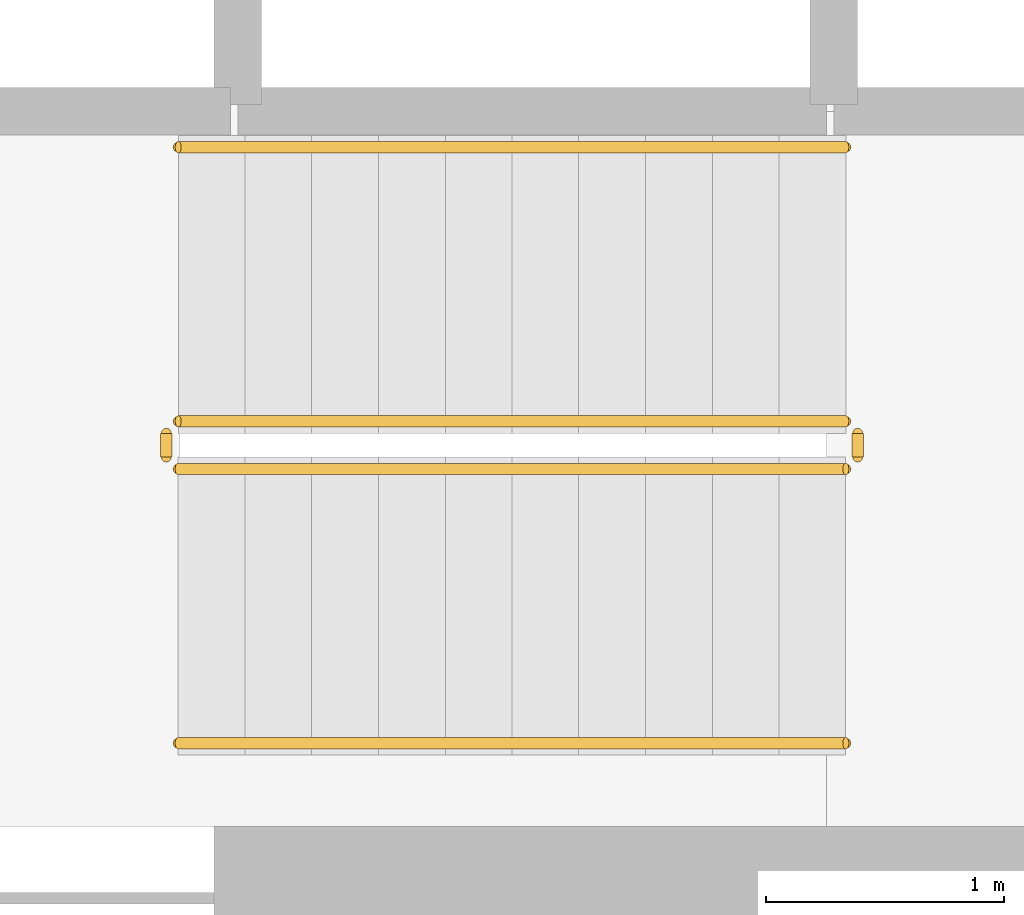
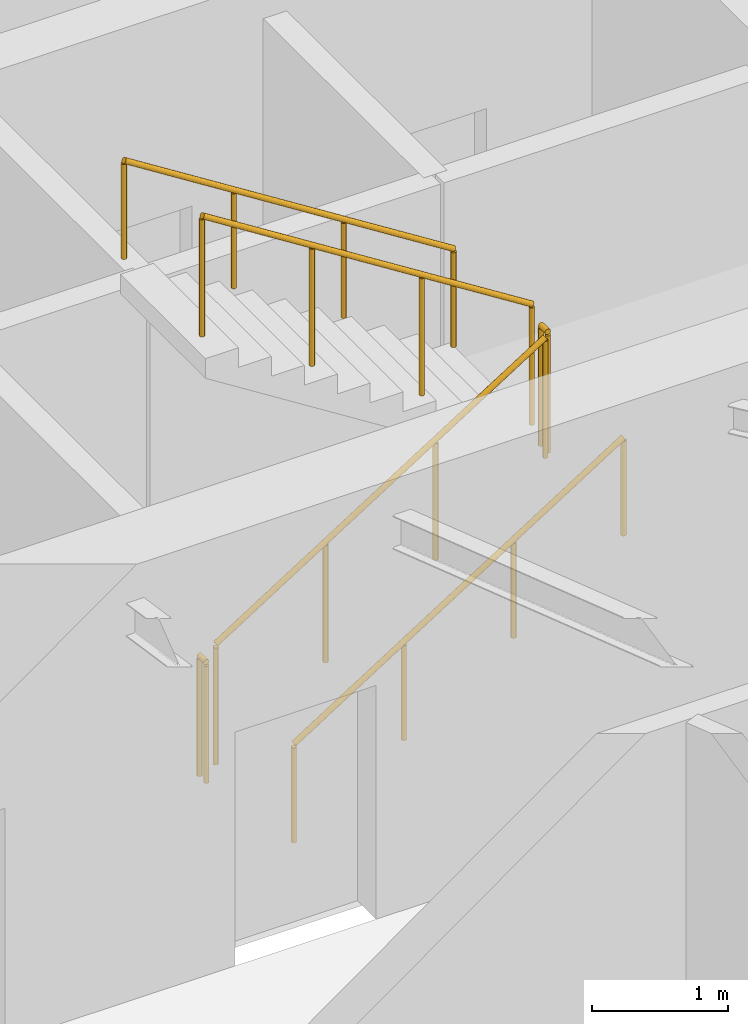
# One storey, part 15 of 19: 6 railings.
"""IFC4 building model written with IfcOpenShell, lengths in metres."""

import ifcopenshell
import ifcopenshell.guid

model = None  # the IFC model being written
_history = None  # IfcOwnerHistory: only IFC2X3 demands one
_inside = {}  # id of a spatial element -> (the spatial element, [elements in it])
_under = {}  # id of a project, library or spatial element -> (it, [spatial elements below it])
_declared = {}  # id of a project -> (the project, [libraries it declares])
_typed = {}  # id of a type object -> (the type object, [elements of that type])
_made_of = {}  # id of a material, layer set ... -> (it, [elements and type objects made of it])


def new_model(schema):
    """Start an empty IFC model of exactly this schema.

    Asked for "IFC4X3", IfcOpenShell would pick the latest addendum, in which some entities
    have other attributes; the version numbers below select the first issue.
    IFC2X3 requires an IfcOwnerHistory on every rooted entity: one is made here for all.
    """
    global model, _history
    if schema == "IFC4X3":
        model = ifcopenshell.file(schema_version=(4, 3, 0, 0))
    else:
        model = ifcopenshell.file(schema=schema)
    _inside.clear()
    _under.clear()
    _declared.clear()
    _typed.clear()
    _made_of.clear()
    _history = None
    if model.schema == "IFC2X3":
        org = make("IfcOrganization", Name="unknown")
        user = make(
            "IfcPersonAndOrganization",
            ThePerson=make("IfcPerson", FamilyName="unknown"),
            TheOrganization=org,
        )
        app = make(
            "IfcApplication",
            ApplicationDeveloper=org,
            Version="unknown",
            ApplicationFullName="unknown",
            ApplicationIdentifier="unknown",
        )
        _history = make(
            "IfcOwnerHistory",
            OwningUser=user,
            OwningApplication=app,
            ChangeAction="ADDED",
            CreationDate=0,
        )
    return model


def make(cls, **values):
    """One entity of the class cls with the attributes given. An attribute that is None is left unset."""
    return model.create_entity(
        cls, **{name: value for name, value in values.items() if value is not None}
    )


def rooted(cls, **values):
    """An entity with a GlobalId (a new one), such as an element, a storey or a relation."""
    return make(cls, GlobalId=ifcopenshell.guid.new(), OwnerHistory=_history, **values)


def si_unit(unit_type, name, prefix=None):
    """IfcSIUnit, for example si_unit("LENGTHUNIT", "METRE", prefix="MILLI")."""
    return make("IfcSIUnit", UnitType=unit_type, Prefix=prefix, Name=name)


def assignment(units):
    """IfcUnitAssignment: the units of a project."""
    return None if units is None else make("IfcUnitAssignment", Units=units)


def point(xyz):
    """IfcCartesianPoint."""
    return None if xyz is None else make("IfcCartesianPoint", Coordinates=xyz)


def direction(xyz):
    """IfcDirection."""
    return None if xyz is None else make("IfcDirection", DirectionRatios=xyz)


def frame(location, z_axis=None, x_axis=None):
    """IfcAxis2Placement3D, a coordinate frame: its origin and axes. An axis left out is left unset."""
    return make(
        "IfcAxis2Placement3D",
        Location=point(location),
        Axis=direction(z_axis),
        RefDirection=direction(x_axis),
    )


def frame_2d(location, x_axis=None):
    """IfcAxis2Placement2D, a coordinate frame in the plane: its origin and x axis."""
    return make(
        "IfcAxis2Placement2D", Location=point(location), RefDirection=direction(x_axis)
    )


def origin():
    """The frame at (0, 0, 0) with its axes left unset."""
    return frame((0.0, 0.0, 0.0))


def origin_2d():
    """The frame at (0, 0) in the plane with its x axis left unset."""
    return frame_2d((0.0, 0.0))


def place(relative_to, where):
    """IfcLocalPlacement: puts the frame where relative to a parent placement (None: the world)."""
    return make(
        "IfcLocalPlacement", PlacementRelTo=relative_to, RelativePlacement=where
    )


def context(
    kind, dimensions, precision=None, world=None, true_north=None, identifier=None
):
    """IfcGeometricRepresentationContext, for example the 3D "Model" context."""
    return make(
        "IfcGeometricRepresentationContext",
        ContextIdentifier=identifier,
        ContextType=kind,
        CoordinateSpaceDimension=dimensions,
        Precision=precision,
        WorldCoordinateSystem=world,
        TrueNorth=true_north,
    )


def subcontext(parent, identifier, kind, view, scale=None):
    """IfcGeometricRepresentationSubContext, for example "Body" below "Model"."""
    return make(
        "IfcGeometricRepresentationSubContext",
        ContextIdentifier=identifier,
        ContextType=kind,
        ParentContext=parent,
        TargetScale=scale,
        TargetView=view,
    )


def project(units=None, contexts=None):
    """IfcProject with its units and contexts."""
    return rooted(
        "IfcProject",
        Name="project",
        RepresentationContexts=contexts,
        UnitsInContext=assignment(units),
    )


def spatial(cls, under=None, at=None, **own):
    """A site, building, storey or space (cls), placed at a placement, below another one or the project."""
    s = rooted(cls, ObjectPlacement=at, **own)
    if under is not None:
        _under.setdefault(under.id(), (under, []))[1].append(s)
    return s


def profile(cls, at=None, kind="AREA", **sizes):
    """A parametric profile (cls). Its sizes go by their IFC names, for example OverallWidth=200.0."""
    return make(cls, ProfileType=kind, Position=at, **sizes)


def circle(**sizes):
    """IfcCircleProfileDef."""
    return profile("IfcCircleProfileDef", **sizes)


def extrude(swept, where, along, depth):
    """IfcExtrudedAreaSolid: the profile swept, set in the frame where, extruded along a direction by depth."""
    return make(
        "IfcExtrudedAreaSolid",
        SweptArea=swept,
        Position=where,
        ExtrudedDirection=direction(along),
        Depth=depth,
    )


def shape(context_of_items, identifier, shape_type, items):
    """IfcShapeRepresentation: the items that make up one representation, for example the "Body"."""
    return make(
        "IfcShapeRepresentation",
        ContextOfItems=context_of_items,
        RepresentationIdentifier=identifier,
        RepresentationType=shape_type,
        Items=items,
    )


def material(Name=None, Category=None):
    """IfcMaterial."""
    return make("IfcMaterial", Name=Name, Category=Category)


def made_of(thing, what):
    """Note that an element or type object is made of a material, layer set ...; save() writes the relation."""
    if what is not None:
        _made_of.setdefault(what.id(), (what, []))[1].append(thing)
    return thing


def type_object(cls, material=None, **own):
    """A type object (cls), such as IfcWallType, which elements share."""
    return made_of(rooted(cls, **own), material)


def element(
    cls,
    number,
    at=None,
    inside=None,
    cuts=None,
    type_object=None,
    material=None,
    context=None,
    identifier="Body",
    shape_type=None,
    held_by="IfcProductDefinitionShape",
    body=None,
    shapes=None,
    **own,
):
    """One element of the class cls, such as IfcWall. Its Tag is "e" and its number.

    at: its placement. inside: the storey or other place that contains it. cuts: it is an
    opening in that element (IfcRelVoidsElement). A single representation is given by context,
    identifier, shape_type and body (its items); several are given by shapes. held_by: the class
    of the entity that holds the representations. save() writes the other relations.
    """
    e = rooted(cls, Tag="e%d" % number, ObjectPlacement=at, **own)
    if body is not None:
        shapes = [shape(context, identifier, shape_type, body)]
    if shapes is not None:
        e.Representation = make(held_by, Representations=shapes)
    if inside is not None:
        _inside.setdefault(inside.id(), (inside, []))[1].append(e)
    if cuts is not None:
        rooted(
            "IfcRelVoidsElement", RelatingBuildingElement=cuts, RelatedOpeningElement=e
        )
    if type_object is not None:
        _typed.setdefault(type_object.id(), (type_object, []))[1].append(e)
    return made_of(e, material)


def aggregate(whole, parts):
    """IfcRelAggregates: a whole, such as a stair, and the parts it consists of."""
    return rooted("IfcRelAggregates", RelatingObject=whole, RelatedObjects=parts)


def save(model, path):
    """Write the relations noted so far, then the file.

    IfcRelAggregates (storeys below a building ...), IfcRelContainedInSpatialStructure (elements
    in a storey), IfcRelDefinesByType, IfcRelAssociatesMaterial and IfcRelDeclares: one each for
    every whole, place, type object, material and project.
    """
    for whole, parts in _under.values():
        aggregate(whole, parts)
    for where, things in _inside.values():
        rooted(
            "IfcRelContainedInSpatialStructure",
            RelatedElements=things,
            RelatingStructure=where,
        )
    for kind, things in _typed.values():
        rooted("IfcRelDefinesByType", RelatedObjects=things, RelatingType=kind)
    for what, things in _made_of.values():
        rooted("IfcRelAssociatesMaterial", RelatedObjects=things, RelatingMaterial=what)
    for by, libraries in _declared.values():
        rooted("IfcRelDeclares", RelatingContext=by, RelatedDefinitions=libraries)
    model.write(path)


model = new_model("IFC4")

# Units and contexts
model_context = context("Model", 3, precision=1e-05, world=origin(), true_north=direction((0.0, 1.0)))
body_context = subcontext(model_context, "Body", "Model", "MODEL_VIEW")
ifc_project = project(units=[si_unit("LENGTHUNIT", "METRE"), si_unit("AREAUNIT", "SQUARE_METRE"), si_unit("VOLUMEUNIT", "CUBIC_METRE"), si_unit("PLANEANGLEUNIT", "RADIAN"), si_unit("MASSUNIT", "GRAM", prefix="KILO")], contexts=[model_context])

# Site, building, storey
site_placement = place(None, origin())
site = spatial("IfcSite", under=ifc_project, at=site_placement, CompositionType="ELEMENT")
building_placement = place(site_placement, origin())
building = spatial("IfcBuilding", under=site, at=building_placement, Name="Spindrift Exchange Tower", CompositionType="ELEMENT")
storey_placement = place(building_placement, frame((0.0, 0.0, 234.5)))
storey = spatial("IfcBuildingStorey", under=building, at=storey_placement, Name="L57", CompositionType="ELEMENT", Elevation=234.5)

# Railings
ifc_material_1 = material(Name="Steel balustrade", Category="steel")
railing_type_1 = type_object("IfcRailingType", Name="RL-STAIR-GUARD", PredefinedType="GUARDRAIL", material=ifc_material_1)
railing_1_placement = place(storey_placement, frame((54.949951171875, 42.10009765625, 0.17724609375)))
element("IfcRailing", 1, at=railing_1_placement, inside=storey, type_object=railing_type_1, Name="L57 ST2 stair guard 1", PredefinedType="GUARDRAIL", context=body_context, shape_type="SweptSolid", body=[
    extrude(circle(Radius=0.02392578125, at=origin_2d()), frame((0.0, 0.0, 1.076171875), z_axis=(0.844908973607, 0.0, 0.534910110503), x_axis=(0.0, 1.0, 0.0)), (0.0, 0.0, 1.0), 3.31396484375),
    extrude(circle(Radius=0.02099609375, at=origin_2d()), origin(), (0.0, 0.0, 1.0), 1.052001953125),
    extrude(circle(Radius=0.02099609375, at=origin_2d()), frame((0.933349609375, 0.0, 0.5908203125)), (0.0, 0.0, 1.0), 1.052001953125),
    extrude(circle(Radius=0.02099609375, at=origin_2d()), frame((1.86669921875, 0.0, 1.181884765625)), (0.0, 0.0, 1.0), 1.052001953125),
    extrude(circle(Radius=0.02099609375, at=origin_2d()), frame((2.800048828125, 0.0, 1.772705078125)), (0.0, 0.0, 1.0), 1.052001953125),
])
railing_2_placement = place(storey_placement, frame((57.800048828125, 42.14990234375, 1.949951171875)))
element("IfcRailing", 2, at=railing_2_placement, inside=storey, type_object=railing_type_1, Name="L57 ST2 stair guard 2", PredefinedType="GUARDRAIL", context=body_context, shape_type="SweptSolid", body=[
    extrude(circle(Radius=0.02392578125, at=origin_2d()), frame((0.0, 0.0, 1.076171875), z_axis=(0.0, 1.0, 0.0), x_axis=(-1.0, 0.0, 0.0)), (0.0, 0.0, 1.0), 0.10009765625),
    extrude(circle(Radius=0.02099609375, at=origin_2d()), origin(), (0.0, 0.0, 1.0), 1.052001953125),
    extrude(circle(Radius=0.02099609375, at=origin_2d()), frame((0.0, 0.10009765625, 0.0)), (0.0, 0.0, 1.0), 1.052001953125),
])
railing_3_placement = place(storey_placement, frame((57.75, 42.300048828125, 2.127197265625)))
element("IfcRailing", 3, at=railing_3_placement, inside=storey, type_object=railing_type_1, Name="L57 ST2 stair guard 3", PredefinedType="GUARDRAIL", context=body_context, shape_type="SweptSolid", body=[
    extrude(circle(Radius=0.02392578125, at=origin_2d()), frame((0.0, 0.0, 1.076171875), z_axis=(-0.844908973607, 0.0, 0.534910110503), x_axis=(0.0, -1.0, 0.0)), (0.0, 0.0, 1.0), 3.31396484375),
    extrude(circle(Radius=0.02099609375, at=origin_2d()), origin(), (0.0, 0.0, 1.0), 1.052001953125),
    extrude(circle(Radius=0.02099609375, at=origin_2d()), frame((-0.933349609375, 0.0, 0.5908203125)), (0.0, 0.0, 1.0), 1.052001953125),
    extrude(circle(Radius=0.02099609375, at=origin_2d()), frame((-1.86669921875, 0.0, 1.181884765625)), (0.0, 0.0, 1.0), 1.052001953125),
    extrude(circle(Radius=0.02099609375, at=origin_2d()), frame((-2.800048828125, 0.0, 1.772705078125)), (0.0, 0.0, 1.0), 1.052001953125),
])
railing_4_placement = place(storey_placement, frame((54.89990234375, 42.14990234375, 0.0)))
element("IfcRailing", 4, at=railing_4_placement, inside=storey, type_object=railing_type_1, Name="L57 ST2 stair guard 4", PredefinedType="GUARDRAIL", context=body_context, shape_type="SweptSolid", body=[
    extrude(circle(Radius=0.02392578125, at=origin_2d()), frame((0.0, 0.0, 1.076171875), z_axis=(0.0, 1.0, 0.0), x_axis=(-1.0, 0.0, 0.0)), (0.0, 0.0, 1.0), 0.10009765625),
    extrude(circle(Radius=0.02099609375, at=origin_2d()), origin(), (0.0, 0.0, 1.0), 1.052001953125),
    extrude(circle(Radius=0.02099609375, at=origin_2d()), frame((0.0, 0.10009765625, 0.0)), (0.0, 0.0, 1.0), 1.052001953125),
])
ifc_material_2 = material(Name="Steel tubular handrail", Category="steel")
railing_type_2 = type_object("IfcRailingType", Name="RL-STAIR-HAND", PredefinedType="HANDRAIL", material=ifc_material_2)
railing_5_placement = place(storey_placement, frame((54.949951171875, 40.949951171875, 0.17724609375)))
element("IfcRailing", 5, at=railing_5_placement, inside=storey, type_object=railing_type_2, Name="L57 ST2 stair handrail 1", PredefinedType="HANDRAIL", context=body_context, shape_type="SweptSolid", body=[
    extrude(circle(Radius=0.02392578125, at=origin_2d()), frame((0.0, 0.0, 0.8759765625), z_axis=(0.844908973607, 0.0, 0.534910110503), x_axis=(0.0, 1.0, 0.0)), (0.0, 0.0, 1.0), 3.31396484375),
    extrude(circle(Radius=0.02099609375, at=origin_2d()), origin(), (0.0, 0.0, 1.0), 0.851806640625),
    extrude(circle(Radius=0.02099609375, at=origin_2d()), frame((0.933349609375, 0.0, 0.5908203125)), (0.0, 0.0, 1.0), 0.851806640625),
    extrude(circle(Radius=0.02099609375, at=origin_2d()), frame((1.86669921875, 0.0, 1.181884765625)), (0.0, 0.0, 1.0), 0.851806640625),
    extrude(circle(Radius=0.02099609375, at=origin_2d()), frame((2.800048828125, 0.0, 1.772705078125)), (0.0, 0.0, 1.0), 0.851806640625),
])
railing_6_placement = place(storey_placement, frame((57.75, 43.449951171875, 2.127197265625)))
element("IfcRailing", 6, at=railing_6_placement, inside=storey, type_object=railing_type_2, Name="L57 ST2 stair handrail 2", PredefinedType="HANDRAIL", context=body_context, shape_type="SweptSolid", body=[
    extrude(circle(Radius=0.02392578125, at=origin_2d()), frame((0.0, 0.0, 0.8759765625), z_axis=(-0.844908973607, 0.0, 0.534910110503), x_axis=(0.0, -1.0, 0.0)), (0.0, 0.0, 1.0), 3.31396484375),
    extrude(circle(Radius=0.02099609375, at=origin_2d()), origin(), (0.0, 0.0, 1.0), 0.851806640625),
    extrude(circle(Radius=0.02099609375, at=origin_2d()), frame((-0.933349609375, 0.0, 0.5908203125)), (0.0, 0.0, 1.0), 0.851806640625),
    extrude(circle(Radius=0.02099609375, at=origin_2d()), frame((-1.86669921875, 0.0, 1.181884765625)), (0.0, 0.0, 1.0), 0.851806640625),
    extrude(circle(Radius=0.02099609375, at=origin_2d()), frame((-2.800048828125, 0.0, 1.772705078125)), (0.0, 0.0, 1.0), 0.851806640625),
])

save(model, "model.ifc")
